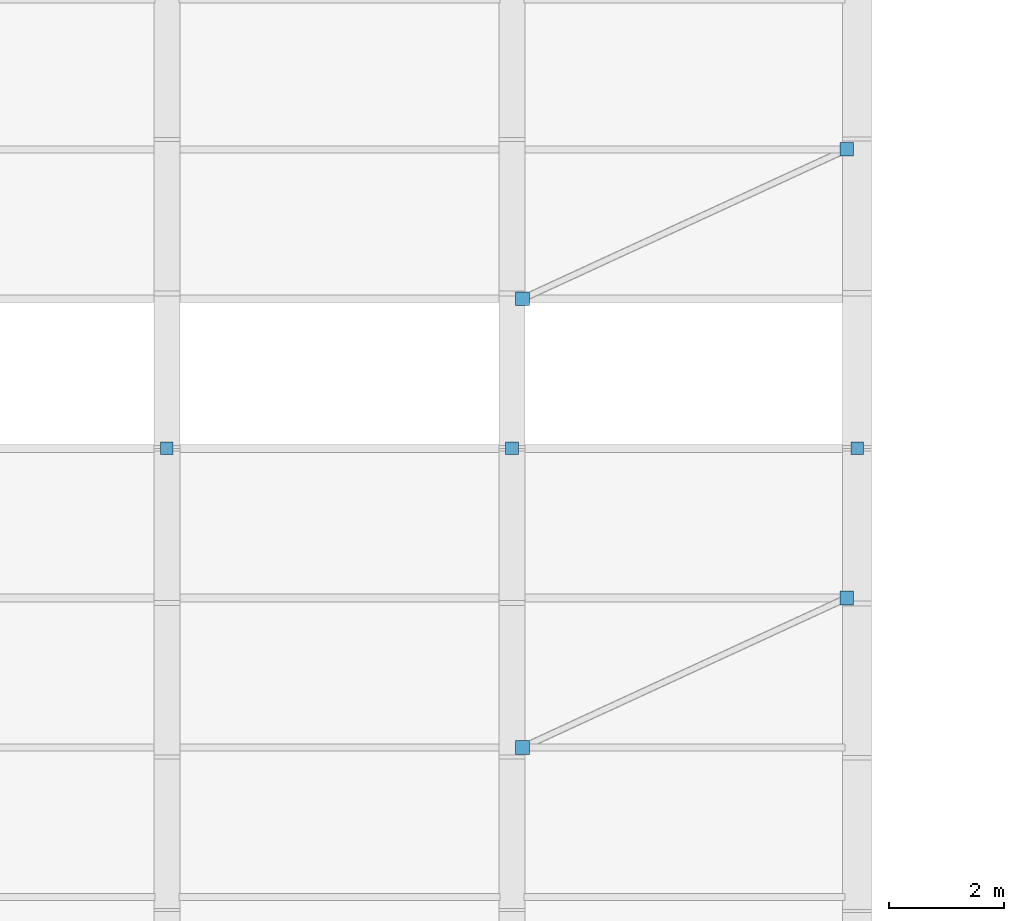
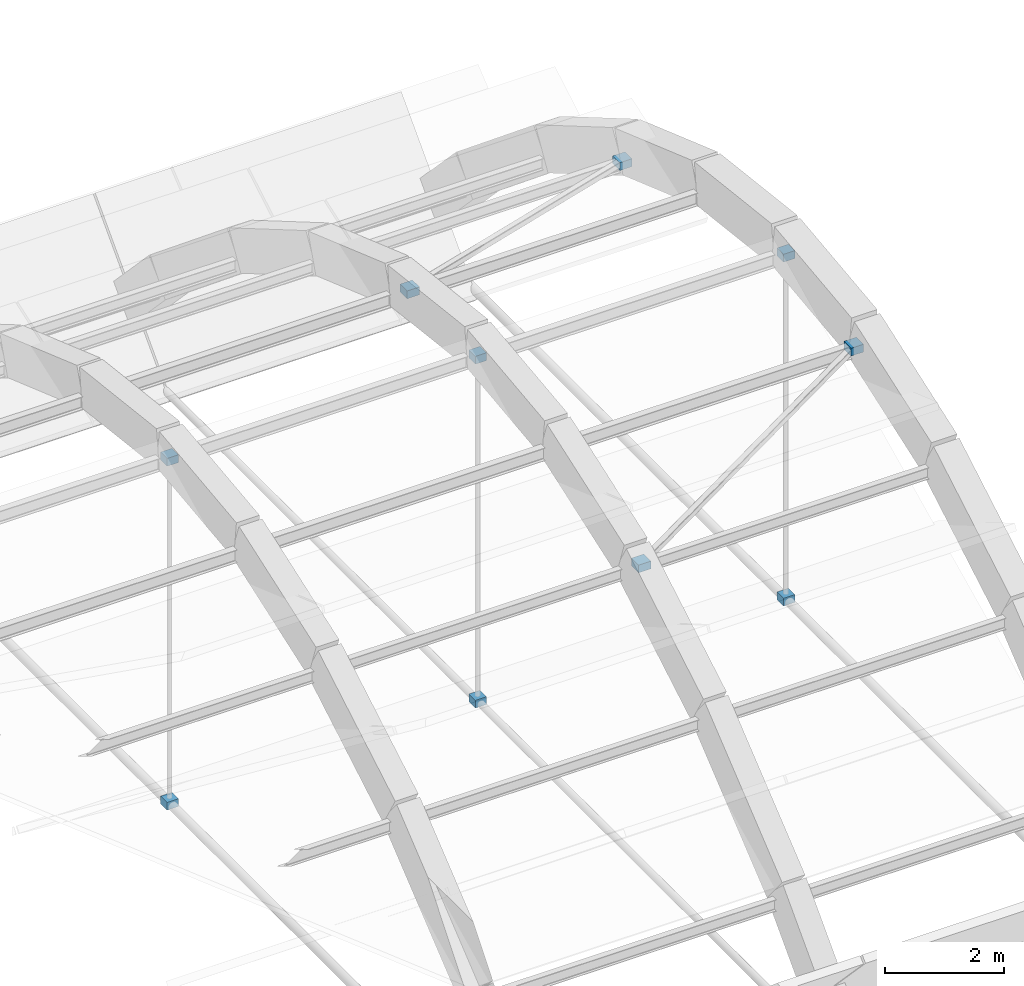
# One storey, part 105 of 123: 10 discrete accessories.
"""IFC4 building model written with IfcOpenShell, lengths in metres."""

from ifc_helpers import new_model, si_unit, direction, frame, origin, origin_2d, place, context, subcontext, project, spatial, rectangle, extrude, material, type_object, element, save


model = new_model("IFC4")

# Units and contexts
model_context = context("Model", 3, precision=1e-05, world=origin(), true_north=direction((0.0, 1.0)))
body_context = subcontext(model_context, "Body", "Model", "MODEL_VIEW")
ifc_project = project(units=[si_unit("LENGTHUNIT", "METRE"), si_unit("AREAUNIT", "SQUARE_METRE"), si_unit("VOLUMEUNIT", "CUBIC_METRE"), si_unit("PLANEANGLEUNIT", "RADIAN"), si_unit("MASSUNIT", "GRAM", prefix="KILO"), si_unit("POWERUNIT", "WATT"), si_unit("THERMODYNAMICTEMPERATUREUNIT", "KELVIN")], contexts=[model_context])

# Site, building, storey
site_placement = place(None, origin())
site = spatial("IfcSite", under=ifc_project, at=site_placement, CompositionType="ELEMENT")
building_placement = place(site_placement, origin())
building = spatial("IfcBuilding", under=site, at=building_placement, Name="Ruvembo Vaulted Housing Court", CompositionType="ELEMENT")
storey_placement = place(building_placement, frame((0.0, 0.0, 7.699951171875)))
storey = spatial("IfcBuildingStorey", under=building, at=storey_placement, Name="L02", CompositionType="ELEMENT", Elevation=7.699951171875)

# Discrete accessories
ifc_material = material(Name="Steel S355J2", Category="steel")
discrete_accessory_type = type_object("IfcDiscreteAccessoryType", Name="ACC-STL-NODE", PredefinedType="BRACKET", material=ifc_material)
for number, where, z_axis, x_axis, name in (
    (1, (96.0, 55.0, -1.2998046875), (0.0, 0.0, 1.0), (1.0, 0.0, 0.0), "Vault Hanger Clevis Connector VH-06-BOT"),
    (2, (96.0, 55.0, 5.7802734375), (0.0, 0.0, 1.0), (1.0, 0.0, 0.0), "Vault Hanger Clevis Connector VH-06-TOP"),
    (3, (102.0, 55.0, -1.2998046875), (0.0, 0.0, 1.0), (1.0, 0.0, 0.0), "Vault Hanger Clevis Connector VH-07-BOT"),
    (4, (102.0, 55.0, 5.7802734375), (0.0, 0.0, 1.0), (1.0, 0.0, 0.0), "Vault Hanger Clevis Connector VH-07-TOP"),
    (5, (108.0, 55.0, -1.2998046875), (0.0, 0.0, 1.0), (1.0, 0.0, 0.0), "Vault Hanger Clevis Connector VH-08-BOT"),
    (6, (108.0, 55.0, 5.7802734375), (0.0, 0.0, 1.0), (1.0, 0.0, 0.0), "Vault Hanger Clevis Connector VH-08-TOP"),
):
    element("IfcDiscreteAccessory", number, at=place(storey_placement, frame(where, z_axis=z_axis, x_axis=x_axis)), inside=storey, type_object=discrete_accessory_type, Name=name, PredefinedType="BRACKET", context=body_context, shape_type="SweptSolid", body=[
        extrude(rectangle(XDim=0.219970703125, YDim=0.219970703125, at=origin_2d()), origin(), (0.0, 0.0, 1.0), 0.159912109375),
    ])
for number, where, z_axis, x_axis, name in (
    (7, (102.179931640625, 49.800048828125, 4.583984375), (0.0, 0.0, 1.0), (1.0, 0.0, 0.0), "Vault Wind Brace End Gusset Connector B7.3A"),
    (8, (107.820068359375, 52.39990234375, 5.49609375), (0.0, 0.0, 1.0), (1.0, 0.0, 0.0), "Vault Wind Brace End Gusset Connector B7.3B"),
    (9, (102.179931640625, 57.60009765625, 5.49609375), (0.0, 0.0, 1.0), (1.0, 0.0, 0.0), "Vault Wind Brace End Gusset Connector B7.6A"),
    (10, (107.820068359375, 60.199951171875, 4.583984375), (0.0, 0.0, 1.0), (1.0, 0.0, 0.0), "Vault Wind Brace End Gusset Connector B7.6B"),
):
    element("IfcDiscreteAccessory", number, at=place(storey_placement, frame(where, z_axis=z_axis, x_axis=x_axis)), inside=storey, type_object=discrete_accessory_type, Name=name, PredefinedType="BRACKET", context=body_context, shape_type="SweptSolid", body=[
        extrude(rectangle(XDim=0.239990234375, YDim=0.239990234375, at=origin_2d()), origin(), (0.0, 0.0, 1.0), 0.159912109375),
    ])

save(model, "model.ifc")
